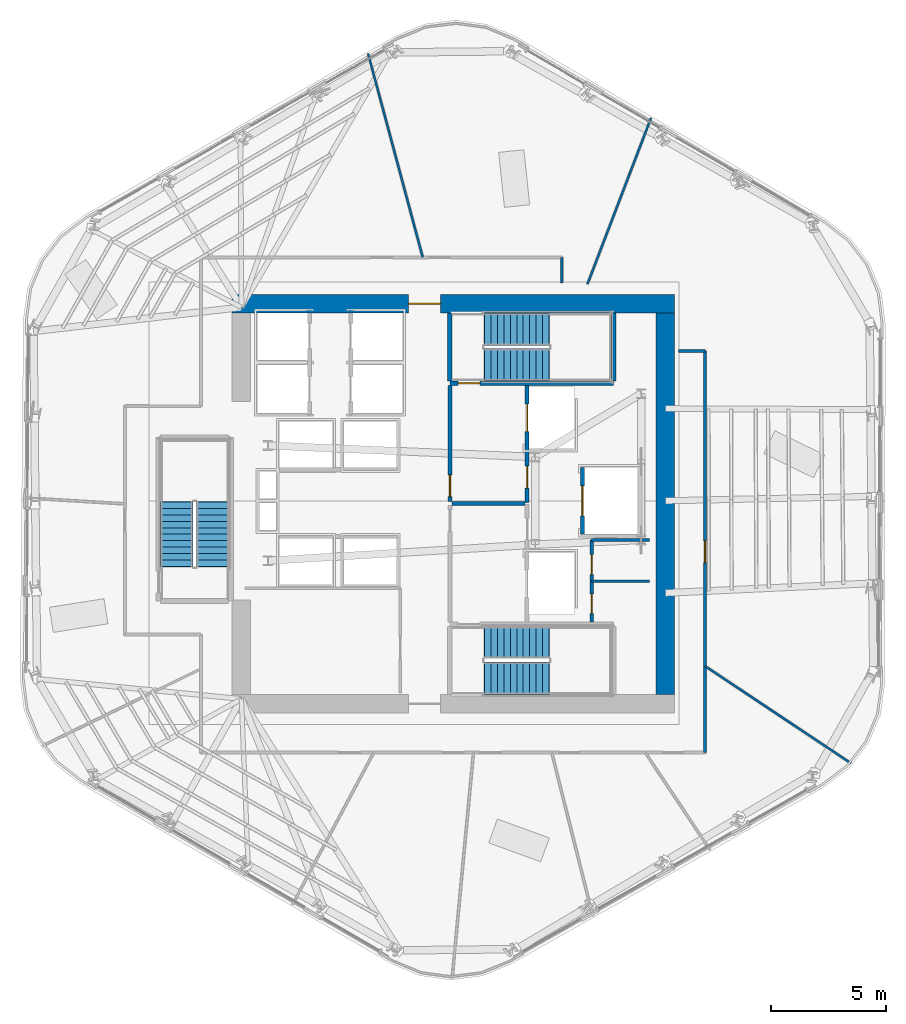
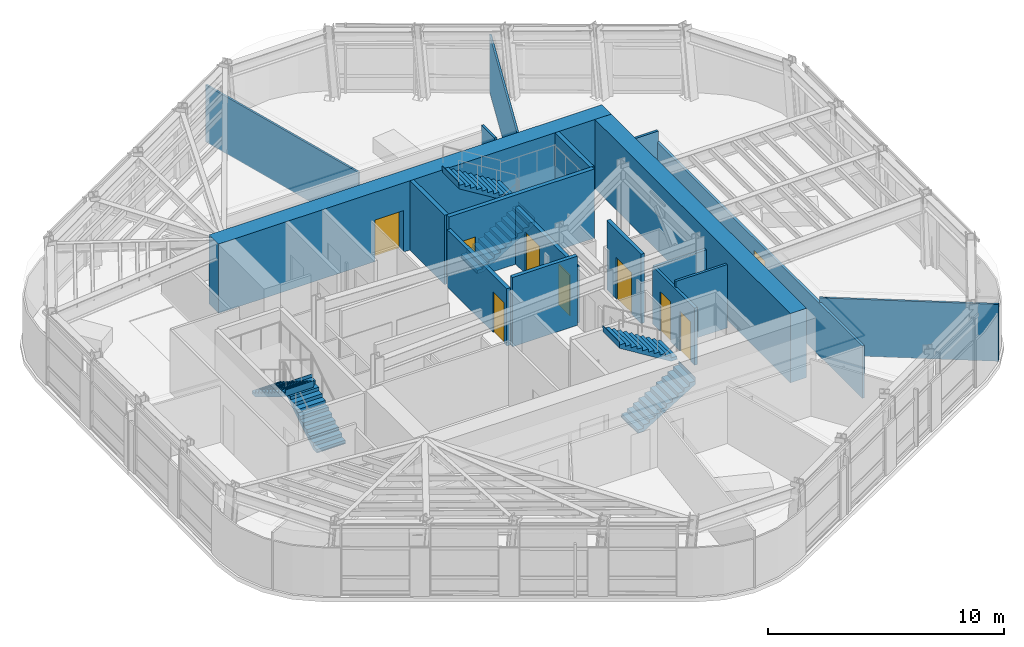
# One storey, part 9 of 16: 18 walls, 9 doors, 6 stair flights, 9 openings, 3 elements without a shape of their own.
"""IFC4 building model written with IfcOpenShell, lengths in metres."""

from ifc_helpers import new_model, si_unit, direction, frame, frame_2d, origin, place, context, subcontext, project, spatial, polyline, rectangle, outline, extrude, material, layer, layer_set, type_object, element, fill, aggregate, save


model = new_model("IFC4")

# Units and contexts
model_context = context("Model", 3, precision=1e-05, world=origin(), true_north=direction((0.0, 1.0)))
body_context = subcontext(model_context, "Body", "Model", "MODEL_VIEW")
ifc_project = project(units=[si_unit("LENGTHUNIT", "METRE"), si_unit("AREAUNIT", "SQUARE_METRE"), si_unit("VOLUMEUNIT", "CUBIC_METRE"), si_unit("PLANEANGLEUNIT", "RADIAN"), si_unit("MASSUNIT", "GRAM", prefix="KILO")], contexts=[model_context])

# Site, building, storey
site_placement = place(None, origin())
site = spatial("IfcSite", under=ifc_project, at=site_placement, CompositionType="ELEMENT")
building_placement = place(site_placement, origin())
building = spatial("IfcBuilding", under=site, at=building_placement, Name="Valkerne Bourse Tower", CompositionType="ELEMENT")
storey_placement = place(building_placement, frame((0.0, 0.0, 151.39990234375)))
storey = spatial("IfcBuildingStorey", under=building, at=storey_placement, Name="L38", CompositionType="ELEMENT", Elevation=151.39990234375)

# Wall, opening, door
ifc_material_1 = material(Name="Concrete C55/67", Category="concrete")
ifc_layer_1 = layer(ifc_material_1, 0.800048828125)
ifc_layer_set_1 = layer_set([ifc_layer_1], Name="Concrete C55/67")
wall_type_1 = type_object("IfcWallType", Name="W-CORE-800", PredefinedType="SHEAR", material=ifc_layer_set_1)
wall_1_placement = place(storey_placement, frame((37.199951171875, 35.550048828125, 0.0), z_axis=(0.0, 0.0, 1.0), x_axis=(1.0, 0.0, 0.0)))
wall_1 = element("IfcWall", 1, at=wall_1_placement, inside=storey, type_object=wall_type_1, Name="L38 Core Shear Wall NORTH", PredefinedType="SHEAR", context=body_context, shape_type="SweptSolid", body=[
    extrude(rectangle(XDim=19.199951171875, YDim=0.800048828125, at=frame_2d((9.60009765625, 0.0))), origin(), (0.0, 0.0, 1.0), 3.580078125),
])
opening_1_placement = place(wall_1_placement, frame((7.64990234375, 0.0, 0.0)))
opening_1 = element("IfcOpeningElement", 2, at=opening_1_placement, cuts=wall_1, Name="Opening D-PL-1400", PredefinedType="OPENING", context=body_context, shape_type="SweptSolid", body=[
    extrude(rectangle(XDim=1.39990234375, YDim=2.14990234375, at=frame_2d((0.699951171875, 1.074951171875))), frame((0.0, 0.409912109375, 0.0), z_axis=(0.0, -1.0, 0.0), x_axis=(1.0, 0.0, 0.0)), (0.0, 0.0, 1.0), 0.820068359375),
])
ifc_material_2 = material(Name="Galvanised Painted Steel", Category="steel")
door_type_1 = type_object("IfcDoorType", Name="DR-PLT-1400", OperationType="DOUBLE_DOOR_SINGLE_SWING", PredefinedType="DOOR", material=ifc_material_2)
door_1_placement = place(opening_1_placement, origin())
door_1 = element("IfcDoor", 3, at=door_1_placement, inside=storey, type_object=door_type_1, Name="L38 North Passenger Lift Hall Fire Door", OperationType="DOUBLE_DOOR_SINGLE_SWING", OverallHeight=2.14990234375, OverallWidth=1.39990234375, PredefinedType="DOOR", context=body_context, shape_type="SweptSolid", body=[
    extrude(rectangle(XDim=1.39990234375, YDim=2.14990234375, at=frame_2d((0.699951171875, 1.074951171875))), frame((0.0, 0.02490234375, 0.0), z_axis=(0.0, -1.0, 0.0), x_axis=(1.0, 0.0, 0.0)), (0.0, 0.0, 1.0), 0.050048828125),
])
fill(opening_1, door_1)

# Walls
wall_2_placement = place(storey_placement, frame((56.0, 18.60009765625, 0.0), z_axis=(0.0, 0.0, 1.0), x_axis=(0.0, 1.0, 0.0)))
element("IfcWall", 4, at=wall_2_placement, inside=storey, type_object=wall_type_1, Name="L38 Core Shear Wall EAST", PredefinedType="SHEAR", context=body_context, shape_type="SweptSolid", body=[
    extrude(rectangle(XDim=16.5498046875, YDim=0.800048828125, at=frame_2d((8.27490234375, 0.0))), origin(), (0.0, 0.0, 1.0), 3.580078125),
])
ifc_material_3 = material(Name="Gypsum Board Steel-Stud Partition", Category="steel")
ifc_layer_2 = layer(ifc_material_3, 0.117919921875)
ifc_layer_set_2 = layer_set([ifc_layer_2], Name="Gypsum Board Steel-Stud Partition")
wall_type_2 = type_object("IfcWallType", Name="W-CORR-140", PredefinedType="PARTITIONING", material=ifc_layer_set_2)
wall_3_placement = place(storey_placement, frame((52.800048828125, 23.510009765625, 0.0), z_axis=(0.0, 0.0, 1.0), x_axis=(1.0, 0.0, 0.0)))
element("IfcWall", 5, at=wall_3_placement, inside=storey, type_object=wall_type_2, Name="L38 Core SE Dual Divider", PredefinedType="PARTITIONING", context=body_context, shape_type="SweptSolid", body=[
    extrude(rectangle(XDim=2.52001953125, YDim=0.117919921875, at=frame_2d((1.260009765625, 0.0))), origin(), (0.0, 0.0, 1.0), 3.280029296875),
])
wall_4_placement = place(storey_placement, frame((51.5, 37.56005859375, 0.0), z_axis=(0.0, 0.0, 1.0), x_axis=(0.0, -1.0, 0.0)))
element("IfcWall", 6, at=wall_4_placement, inside=storey, type_object=wall_type_2, Name="L38 Corridor Enclosure Wall", PredefinedType="PARTITIONING", context=body_context, shape_type="SweptSolid", body=[
    extrude(rectangle(XDim=1.10009765625, YDim=0.117919921875, at=frame_2d((0.550048828125, 0.0))), origin(), (0.0, 0.0, 1.0), 3.280029296875),
])
wall_5_placement = place(storey_placement, frame((56.56005859375, 33.5, 0.0), z_axis=(0.0, 0.0, 1.0), x_axis=(1.0, 0.0, 0.0)))
element("IfcWall", 7, at=wall_5_placement, inside=storey, type_object=wall_type_2, Name="L38 Corridor Enclosure Wall", PredefinedType="PARTITIONING", context=body_context, shape_type="SweptSolid", body=[
    extrude(rectangle(XDim=1.159912109375, YDim=0.117919921875, at=frame_2d((0.580078125, 0.0))), origin(), (0.0, 0.0, 1.0), 3.280029296875),
])

# Wall, opening, door
wall_6_placement = place(storey_placement, frame((57.719970703125, 33.5, 0.0), z_axis=(0.0, 0.0, 1.0), x_axis=(0.0, -1.0, 0.0)))
wall_6 = element("IfcWall", 8, at=wall_6_placement, inside=storey, type_object=wall_type_2, Name="L38 Corridor Enclosure Wall", PredefinedType="PARTITIONING", context=body_context, shape_type="SweptSolid", body=[
    extrude(rectangle(XDim=17.419921875, YDim=0.117919921875, at=frame_2d((8.7099609375, 0.0))), origin(), (0.0, 0.0, 1.0), 2.711669921875),
])
opening_2_placement = place(wall_6_placement, frame((8.235107421875, 0.0, 0.0)))
opening_2 = element("IfcOpeningElement", 9, at=opening_2_placement, cuts=wall_6, Name="Opening D-OF-950", PredefinedType="OPENING", context=body_context, shape_type="SweptSolid", body=[
    extrude(rectangle(XDim=0.949951171875, YDim=2.10009765625, at=frame_2d((0.47509765625, 1.050048828125))), frame((0.0, 0.06884765625, 0.0), z_axis=(0.0, -1.0, 0.0), x_axis=(1.0, 0.0, 0.0)), (0.0, 0.0, 1.0), 0.137939453125),
])
ifc_material_4 = material(Name="Architectural White Oak Timber", Category="wood")
door_type_2 = type_object("IfcDoorType", Name="DR-OFF-950", OperationType="NOTDEFINED", PredefinedType="DOOR", material=ifc_material_4)
door_2_placement = place(opening_2_placement, origin())
door_2 = element("IfcDoor", 10, at=door_2_placement, inside=storey, type_object=door_type_2, Name="L38 L38 Trading Desk Office 9 Door", OperationType="SINGLE_SWING_RIGHT", OverallHeight=2.10009765625, OverallWidth=0.949951171875, PredefinedType="DOOR", context=body_context, shape_type="SweptSolid", body=[
    extrude(rectangle(XDim=0.949951171875, YDim=2.10009765625, at=frame_2d((0.47509765625, 1.050048828125))), frame((0.0, 0.02490234375, 0.0), z_axis=(0.0, -1.0, 0.0), x_axis=(1.0, 0.0, 0.0)), (0.0, 0.0, 1.0), 0.050048828125),
])
fill(opening_2, door_2)

# Wall
ifc_material_5 = material(Name="Gypsum Fire-Rated Shaftwall", Category="gypsum")
ifc_layer_3 = layer(ifc_material_5, 0.179931640625)
ifc_layer_set_3 = layer_set([ifc_layer_3], Name="Gypsum Fire-Rated Shaftwall")
wall_type_3 = type_object("IfcWallType", Name="W-FSAE-180", PredefinedType="PARTITIONING", material=ifc_layer_set_3)
wall_7_placement = place(storey_placement, frame((46.739990234375, 26.8798828125, 0.0), z_axis=(0.0, 0.0, 1.0), x_axis=(1.0, 0.0, 0.0)))
element("IfcWall", 11, at=wall_7_placement, inside=storey, type_object=wall_type_3, Name="L38 FSAE-1/2 Lobby Dividing Fire Wall", PredefinedType="PARTITIONING", context=body_context, shape_type="SweptSolid", body=[
    extrude(rectangle(XDim=3.169921875, YDim=0.179931640625, at=frame_2d((1.5849609375, 0.0))), origin(), (0.0, 0.0, 1.0), 3.580078125),
])

# Wall, opening, door
wall_8_placement = place(storey_placement, frame((46.64990234375, 26.9599609375, 0.0), z_axis=(0.0, 0.0, 1.0), x_axis=(0.0, 1.0, 0.0)))
wall_8 = element("IfcWall", 12, at=wall_8_placement, inside=storey, type_object=wall_type_3, Name="L38 FSAE-2 Lobby West Fire Wall", PredefinedType="PARTITIONING", context=body_context, shape_type="SweptSolid", body=[
    extrude(rectangle(XDim=5.0400390625, YDim=0.179931640625, at=frame_2d((2.52001953125, 0.0))), origin(), (0.0, 0.0, 1.0), 2.9580078125),
])
opening_3_placement = place(wall_8_placement, frame((0.219970703125, 0.0, 0.0)))
opening_3 = element("IfcOpeningElement", 13, at=opening_3_placement, cuts=wall_8, Name="Opening D-FS-950", PredefinedType="OPENING", context=body_context, shape_type="SweptSolid", body=[
    extrude(rectangle(XDim=0.949951171875, YDim=2.10009765625, at=frame_2d((0.47509765625, 1.050048828125))), frame((0.0, 0.099853515625, 0.0), z_axis=(0.0, -1.0, 0.0), x_axis=(1.0, 0.0, 0.0)), (0.0, 0.0, 1.0), 0.199951171875),
])
door_type_3 = type_object("IfcDoorType", Name="DR-FSAE-950", OperationType="NOTDEFINED", PredefinedType="DOOR", material=ifc_material_2)
door_3_placement = place(opening_3_placement, origin())
door_3 = element("IfcDoor", 14, at=door_3_placement, inside=storey, type_object=door_type_3, Name="L38 FSAE-2 Hall Link Fire Door", OperationType="SINGLE_SWING_RIGHT", OverallHeight=2.10009765625, OverallWidth=0.949951171875, PredefinedType="DOOR", context=body_context, shape_type="SweptSolid", body=[
    extrude(rectangle(XDim=0.949951171875, YDim=2.10009765625, at=frame_2d((0.47509765625, 1.050048828125))), frame((0.0, 0.02490234375, 0.0), z_axis=(0.0, -1.0, 0.0), x_axis=(1.0, 0.0, 0.0)), (0.0, 0.0, 1.0), 0.050048828125),
])
fill(opening_3, door_3)

# Wall, openings, doors
wall_9_placement = place(storey_placement, frame((50.0, 26.919921875, 0.0), z_axis=(0.0, 0.0, 1.0), x_axis=(0.0, 1.0, 0.0)))
wall_9 = element("IfcWall", 15, at=wall_9_placement, inside=storey, type_object=wall_type_3, Name="L38 FSAE-2 Lobby & Shaft Front Wall", PredefinedType="PARTITIONING", context=body_context, shape_type="SweptSolid", body=[
    extrude(rectangle(XDim=5.080078125, YDim=0.179931640625, at=frame_2d((2.5400390625, 0.0))), origin(), (0.0, 0.0, 1.0), 2.9580078125),
])
opening_4_placement = place(wall_9_placement, frame((3.080078125, 0.0, 0.0)))
opening_4 = element("IfcOpeningElement", 16, at=opening_4_placement, cuts=wall_9, Name="Opening LD-1200", PredefinedType="OPENING", context=body_context, shape_type="SweptSolid", body=[
    extrude(rectangle(XDim=1.199951171875, YDim=2.14990234375, at=frame_2d((0.60009765625, 1.074951171875))), frame((0.0, 0.099853515625, 0.0), z_axis=(0.0, -1.0, 0.0), x_axis=(1.0, 0.0, 0.0)), (0.0, 0.0, 1.0), 0.199951171875),
])
opening_5_placement = place(wall_9_placement, frame((0.6298828125, 0.0, 0.0)))
opening_5 = element("IfcOpeningElement", 17, at=opening_5_placement, cuts=wall_9, Name="Opening D-FS-950", PredefinedType="OPENING", context=body_context, shape_type="SweptSolid", body=[
    extrude(rectangle(XDim=0.949951171875, YDim=2.10009765625, at=frame_2d((0.47509765625, 1.050048828125))), frame((0.0, 0.099853515625, 0.0), z_axis=(0.0, -1.0, 0.0), x_axis=(1.0, 0.0, 0.0)), (0.0, 0.0, 1.0), 0.199951171875),
])
door_4_placement = place(opening_5_placement, origin())
door_4 = element("IfcDoor", 18, at=door_4_placement, inside=storey, type_object=door_type_3, Name="L38 FSAE-2 Lobby Corridor Fire Door", OperationType="SINGLE_SWING_LEFT", OverallHeight=2.10009765625, OverallWidth=0.949951171875, PredefinedType="DOOR", context=body_context, shape_type="SweptSolid", body=[
    extrude(rectangle(XDim=0.949951171875, YDim=2.10009765625, at=frame_2d((0.47509765625, 1.050048828125))), frame((0.0, 0.02490234375, 0.0), z_axis=(0.0, -1.0, 0.0), x_axis=(1.0, 0.0, 0.0)), (0.0, 0.0, 1.0), 0.050048828125),
])
fill(opening_5, door_4)
ifc_material_6 = material(Name="Stainless Steel AISI 316", Category="steel")
door_type_4 = type_object("IfcDoorType", Name="DR-LIFT-1200", OperationType="DOUBLE_DOOR_SLIDING", PredefinedType="DOOR", material=ifc_material_6)
door_5_placement = place(opening_4_placement, origin())
door_5 = element("IfcDoor", 19, at=door_5_placement, inside=storey, type_object=door_type_4, Name="L38 FSAE-2 Firefighting Lift Landing Door", OperationType="DOUBLE_DOOR_SLIDING", OverallHeight=2.14990234375, OverallWidth=1.199951171875, PredefinedType="DOOR", context=body_context, shape_type="SweptSolid", body=[
    extrude(rectangle(XDim=1.199951171875, YDim=2.14990234375, at=frame_2d((0.60009765625, 1.074951171875))), frame((0.0, 0.02490234375, 0.0), z_axis=(0.0, -1.0, 0.0), x_axis=(1.0, 0.0, 0.0)), (0.0, 0.0, 1.0), 0.050048828125),
])
fill(opening_4, door_5)

# Wall, opening, door
ifc_material_7 = material(Name="CMU Blockwork Masonry 200mm", Category="masonry")
ifc_layer_4 = layer(ifc_material_7, 0.179931640625)
ifc_layer_set_4 = layer_set([ifc_layer_4], Name="CMU Blockwork Masonry 200mm")
wall_type_4 = type_object("IfcWallType", Name="W-LFT-180", PredefinedType="SOLIDWALL", material=ifc_layer_set_4)
wall_10_placement = place(storey_placement, frame((52.39990234375, 25.550048828125, 0.0), z_axis=(0.0, 0.0, 1.0), x_axis=(0.0, 1.0, 0.0)))
wall_10 = element("IfcWall", 20, at=wall_10_placement, inside=storey, type_object=wall_type_4, Name="L38 Service Lift SV-1 Front Wall", PredefinedType="SOLIDWALL", context=body_context, shape_type="SweptSolid", body=[
    extrude(rectangle(XDim=2.89990234375, YDim=0.179931640625, at=frame_2d((1.449951171875, 0.0))), origin(), (0.0, 0.0, 1.0), 3.580078125),
])
opening_6_placement = place(wall_10_placement, frame((0.800048828125, 0.0, 0.0)))
opening_6 = element("IfcOpeningElement", 21, at=opening_6_placement, cuts=wall_10, Name="Opening LD-1300", PredefinedType="OPENING", context=body_context, shape_type="SweptSolid", body=[
    extrude(rectangle(XDim=1.300048828125, YDim=2.14990234375, at=frame_2d((0.64990234375, 1.074951171875))), frame((0.0, 0.099853515625, 0.0), z_axis=(0.0, -1.0, 0.0), x_axis=(1.0, 0.0, 0.0)), (0.0, 0.0, 1.0), 0.199951171875),
])
door_type_5 = type_object("IfcDoorType", Name="DR-LIFT-1300", OperationType="DOUBLE_DOOR_SLIDING", PredefinedType="DOOR", material=ifc_material_6)
door_6_placement = place(opening_6_placement, origin())
door_6 = element("IfcDoor", 22, at=door_6_placement, inside=storey, type_object=door_type_5, Name="L38 Service Lift SV-1 Landing Door", OperationType="DOUBLE_DOOR_SLIDING", OverallHeight=2.14990234375, OverallWidth=1.300048828125, PredefinedType="DOOR", context=body_context, shape_type="SweptSolid", body=[
    extrude(rectangle(XDim=1.300048828125, YDim=2.14990234375, at=frame_2d((0.64990234375, 1.074951171875))), frame((0.0, 0.02490234375, 0.0), z_axis=(0.0, -1.0, 0.0), x_axis=(1.0, 0.0, 0.0)), (0.0, 0.0, 1.0), 0.050048828125),
])
fill(opening_6, door_6)

# Walls
ifc_layer_5 = layer(ifc_material_3, 0.092041015625)
ifc_layer_set_5 = layer_set([ifc_layer_5], Name="Gypsum Board Steel-Stud Partition")
wall_type_5 = type_object("IfcWallType", Name="W-PART-115", PredefinedType="PARTITIONING", material=ifc_layer_set_5)
wall_11_placement = place(storey_placement, frame((57.72509765625, 19.82470703125, 0.0), z_axis=(0.0, 0.0, 1.0), x_axis=(0.832390841031, -0.554189036132, 0.0)))
element("IfcWall", 23, at=wall_11_placement, inside=storey, type_object=wall_type_5, Name="L38 Suite Partition P04", PredefinedType="PARTITIONING", context=body_context, shape_type="SweptSolid", body=[
    extrude(rectangle(XDim=7.606689453125, YDim=0.092041015625, at=frame_2d((3.80322265625, 0.0))), origin(), (0.0, 0.0, 1.0), 2.942626953125),
])
wall_12_placement = place(storey_placement, frame((52.616943359375, 36.39990234375, 0.0), z_axis=(0.0, 0.0, 1.0), x_axis=(0.35730700951, 0.933986991855, 0.0)))
element("IfcWall", 24, at=wall_12_placement, inside=storey, type_object=wall_type_5, Name="L38 Suite Partition P05", PredefinedType="PARTITIONING", context=body_context, shape_type="SweptSolid", body=[
    extrude(rectangle(XDim=7.722412109375, YDim=0.092041015625, at=frame_2d((3.861328125, 0.0))), origin(), (0.0, 0.0, 1.0), 2.942626953125),
])
wall_13_placement = place(storey_placement, frame((45.470703125, 37.56494140625, 0.0), z_axis=(0.0, 0.0, 1.0), x_axis=(-0.25911643032, 0.965846093091, 0.0)))
element("IfcWall", 25, at=wall_13_placement, inside=storey, type_object=wall_type_5, Name="L38 Suite Partition P06", PredefinedType="PARTITIONING", context=body_context, shape_type="SweptSolid", body=[
    extrude(rectangle(XDim=9.154541015625, YDim=0.092041015625, at=frame_2d((4.5771484375, 0.0))), origin(), (0.0, 0.0, 1.0), 2.942626953125),
])

# Wall, opening, door
ifc_material_8 = material(Name="Concrete C40/50", Category="concrete")
ifc_layer_6 = layer(ifc_material_8, 0.199951171875)
ifc_layer_set_6 = layer_set([ifc_layer_6], Name="Concrete C40/50")
wall_type_6 = type_object("IfcWallType", Name="W-SHF-200", PredefinedType="SHEAR", material=ifc_layer_set_6)
wall_14_placement = place(storey_placement, frame((46.64990234375, 32.10009765625, 0.0), z_axis=(0.0, 0.0, 1.0), x_axis=(1.0, 0.0, 0.0)))
wall_14 = element("IfcWall", 26, at=wall_14_placement, inside=storey, type_object=wall_type_6, Name="L38 Exit Stair ST-2 Structural Shaft Wall South", PredefinedType="SHEAR", context=body_context, shape_type="SweptSolid", body=[
    extrude(rectangle(XDim=7.10009765625, YDim=0.199951171875, at=frame_2d((3.550048828125, 0.0))), origin(), (0.0, 0.0, 1.0), 3.580078125),
])
opening_7_placement = place(wall_14_placement, frame((0.35009765625, 0.0, 0.0)))
opening_7 = element("IfcOpeningElement", 27, at=opening_7_placement, cuts=wall_14, Name="Opening D-ST-950", PredefinedType="OPENING", context=body_context, shape_type="SweptSolid", body=[
    extrude(rectangle(XDim=0.949951171875, YDim=2.10009765625, at=frame_2d((0.47509765625, 1.050048828125))), frame((0.0, 0.10986328125, 0.0), z_axis=(0.0, -1.0, 0.0), x_axis=(1.0, 0.0, 0.0)), (0.0, 0.0, 1.0), 0.219970703125),
])
door_type_6 = type_object("IfcDoorType", Name="DR-STAIR-950", OperationType="NOTDEFINED", PredefinedType="DOOR", material=ifc_material_2)
door_7_placement = place(opening_7_placement, origin())
door_7 = element("IfcDoor", 28, at=door_7_placement, inside=storey, type_object=door_type_6, Name="L38 Exit Stair ST-2 Door", OperationType="SINGLE_SWING_RIGHT", OverallHeight=2.10009765625, OverallWidth=0.949951171875, PredefinedType="DOOR", context=body_context, shape_type="SweptSolid", body=[
    extrude(rectangle(XDim=0.949951171875, YDim=2.10009765625, at=frame_2d((0.47509765625, 1.050048828125))), frame((0.0, 0.02490234375, 0.0), z_axis=(0.0, -1.0, 0.0), x_axis=(1.0, 0.0, 0.0)), (0.0, 0.0, 1.0), 0.050048828125),
])
fill(opening_7, door_7)

# Walls
for number, where, z_axis, x_axis, name in (
    (29, (46.64990234375, 32.199951171875, 0.0), (0.0, 0.0, 1.0), (0.0, 1.0, 0.0), "L38 Exit Stair ST-2 Structural Shaft Wall West"),
    (30, (53.75, 32.199951171875, 0.0), (0.0, 0.0, 1.0), (0.0, 1.0, 0.0), "L38 Exit Stair ST-2 Structural Shaft Wall East"),
):
    element("IfcWall", number, at=place(storey_placement, frame(where, z_axis=z_axis, x_axis=x_axis)), inside=storey, type_object=wall_type_6, Name=name, PredefinedType="SHEAR", context=body_context, shape_type="SweptSolid", body=[
        extrude(rectangle(XDim=2.949951171875, YDim=0.199951171875, at=frame_2d((1.47509765625, 0.0))), origin(), (0.0, 0.0, 1.0), 3.580078125),
    ])

# Wall, openings, doors
ifc_material_9 = material(Name="Moisture-Resistant Gypsum Partition", Category="gypsum")
ifc_layer_7 = layer(ifc_material_9, 0.139892578125)
ifc_layer_set_7 = layer_set([ifc_layer_7], Name="Moisture-Resistant Gypsum Partition")
wall_type_7 = type_object("IfcWallType", Name="W-WET-140", PredefinedType="PARTITIONING", material=ifc_layer_set_7)
wall_15_placement = place(storey_placement, frame((52.800048828125, 21.75, 0.0), z_axis=(0.0, 0.0, 1.0), x_axis=(0.0, 1.0, 0.0)))
wall_15 = element("IfcWall", 31, at=wall_15_placement, inside=storey, type_object=wall_type_7, Name="L38 Core SE Dual West Wall", PredefinedType="PARTITIONING", context=body_context, shape_type="SweptSolid", body=[
    extrude(rectangle(XDim=3.550048828125, YDim=0.139892578125, at=frame_2d((1.77490234375, 0.0))), origin(), (0.0, 0.0, 1.0), 2.9580078125),
])
opening_8_placement = place(wall_15_placement, frame((0.35009765625, 0.0, 0.0)))
opening_8 = element("IfcOpeningElement", 32, at=opening_8_placement, cuts=wall_15, Name="Opening D-WC-900", PredefinedType="OPENING", context=body_context, shape_type="SweptSolid", body=[
    extrude(rectangle(XDim=0.860107421875, YDim=2.050048828125, at=frame_2d((0.43017578125, 1.02490234375))), frame((0.0, 0.079833984375, 0.0), z_axis=(0.0, -1.0, 0.0), x_axis=(1.0, 0.0, 0.0)), (0.0, 0.0, 1.0), 0.159912109375),
])
opening_9_placement = place(wall_15_placement, frame((2.050048828125, 0.0, 0.0)))
opening_9 = element("IfcOpeningElement", 33, at=opening_9_placement, cuts=wall_15, Name="Opening D-WC-900", PredefinedType="OPENING", context=body_context, shape_type="SweptSolid", body=[
    extrude(rectangle(XDim=0.860107421875, YDim=2.050048828125, at=frame_2d((0.43017578125, 1.02490234375))), frame((0.0, 0.079833984375, 0.0), z_axis=(0.0, -1.0, 0.0), x_axis=(1.0, 0.0, 0.0)), (0.0, 0.0, 1.0), 0.159912109375),
])
door_type_7 = type_object("IfcDoorType", Name="DR-WC-900", OperationType="NOTDEFINED", PredefinedType="DOOR", material=ifc_material_4)
door_8_placement = place(opening_8_placement, origin())
door_8 = element("IfcDoor", 34, at=door_8_placement, inside=storey, type_object=door_type_7, Name="L38 Linen Store Door", OperationType="SINGLE_SWING_LEFT", OverallHeight=2.050048828125, OverallWidth=0.860107421875, PredefinedType="DOOR", context=body_context, shape_type="SweptSolid", body=[
    extrude(rectangle(XDim=0.860107421875, YDim=2.050048828125, at=frame_2d((0.43017578125, 1.02490234375))), frame((0.0, 0.02490234375, 0.0), z_axis=(0.0, -1.0, 0.0), x_axis=(1.0, 0.0, 0.0)), (0.0, 0.0, 1.0), 0.050048828125),
])
fill(opening_8, door_8)
door_9_placement = place(opening_9_placement, origin())
door_9 = element("IfcDoor", 35, at=door_9_placement, inside=storey, type_object=door_type_7, Name="L38 Espresso Kitchen Door", OperationType="SINGLE_SWING_LEFT", OverallHeight=2.050048828125, OverallWidth=0.860107421875, PredefinedType="DOOR", context=body_context, shape_type="SweptSolid", body=[
    extrude(rectangle(XDim=0.860107421875, YDim=2.050048828125, at=frame_2d((0.43017578125, 1.02490234375))), frame((0.0, 0.02490234375, 0.0), z_axis=(0.0, -1.0, 0.0), x_axis=(1.0, 0.0, 0.0)), (0.0, 0.0, 1.0), 0.050048828125),
])
fill(opening_9, door_9)

# Wall
wall_16_placement = place(storey_placement, frame((52.800048828125, 25.300048828125, 0.0), z_axis=(0.0, 0.0, 1.0), x_axis=(1.0, 0.0, 0.0)))
element("IfcWall", 36, at=wall_16_placement, inside=storey, type_object=wall_type_7, Name="L38 Core SE Dual North Wall", PredefinedType="PARTITIONING", context=body_context, shape_type="SweptSolid", body=[
    extrude(rectangle(XDim=2.52001953125, YDim=0.139892578125, at=frame_2d((1.260009765625, 0.0))), origin(), (0.0, 0.0, 1.0), 2.9580078125),
])

# Stair, stair flights
stair_type = type_object("IfcStairType", Name="ST-CORE-1400", PredefinedType="HALF_TURN_STAIR", material=ifc_material_8)
stair_1_placement = place(storey_placement, origin())
stair_1 = element("IfcStair", 37, at=stair_1_placement, inside=storey, type_object=stair_type, Name="L38 ST-1", PredefinedType="HALF_TURN_STAIR")
stair_flight_type = type_object("IfcStairFlightType", Name="STF-CORE-1400", PredefinedType="STRAIGHT", material=ifc_material_8)
stair_flight_1_placement = place(storey_placement, frame((48.14990234375, 19.300048828125, 0.0), z_axis=(0.0, 0.0, 1.0), x_axis=(1.0, 0.0, 0.0)))
stair_flight_1 = element("IfcStairFlight", 38, at=stair_flight_1_placement, type_object=stair_flight_type, Name="ST-1 flight 1", NumberOfRisers=11, NumberOfTreads=10, PredefinedType="STRAIGHT", RiserHeight=0.172727273, TreadLength=0.28, context=body_context, shape_type="SweptSolid", body=[
    extrude(outline(polyline([(-0.02001953125, 0.0), (-0.02001953125, 0.044921875), (0.0, 0.044921875), (0.0, 0.172607421875), (0.280029296875, 0.172607421875), (0.280029296875, 0.345458984375), (0.56005859375, 0.345458984375), (0.56005859375, 0.51806640625), (0.840087890625, 0.51806640625), (0.840087890625, 0.69091796875), (1.1201171875, 0.69091796875), (1.1201171875, 0.863525390625), (1.39990234375, 0.863525390625), (1.39990234375, 1.036376953125), (1.679931640625, 1.036376953125), (1.679931640625, 1.208984375), (1.9599609375, 1.208984375), (1.9599609375, 1.3818359375), (2.239990234375, 1.3818359375), (2.239990234375, 1.554443359375), (2.52001953125, 1.554443359375), (2.52001953125, 1.727294921875), (2.800048828125, 1.727294921875), (2.800048828125, 1.89990234375), (2.820068359375, 1.89990234375), (2.820068359375, 1.780029296875), (2.800048828125, 1.551025390625), (0.285400390625, 0.0), (-0.02001953125, 0.0)])), frame((0.0, 0.699951171875, 0.0), z_axis=(0.0, -1.0, 0.0), x_axis=(1.0, 0.0, 0.0)), (0.0, 0.0, 1.0), 1.39990234375),
])
stair_flight_2_placement = place(storey_placement, frame((50.949951171875, 20.85009765625, 1.900146484375), z_axis=(0.0, 0.0, 1.0), x_axis=(-1.0, 0.0, 0.0)))
stair_flight_2 = element("IfcStairFlight", 39, at=stair_flight_2_placement, type_object=stair_flight_type, Name="ST-1 flight 2", NumberOfRisers=11, NumberOfTreads=10, PredefinedType="STRAIGHT", RiserHeight=0.172727273, TreadLength=0.28, context=body_context, shape_type="SweptSolid", body=[
    extrude(outline(polyline([(-0.02001953125, 0.0), (-0.02001953125, 0.044921875), (0.0, 0.044921875), (0.0, 0.172607421875), (0.280029296875, 0.172607421875), (0.280029296875, 0.345458984375), (0.56005859375, 0.345458984375), (0.56005859375, 0.51806640625), (0.840087890625, 0.51806640625), (0.840087890625, 0.69091796875), (1.1201171875, 0.69091796875), (1.1201171875, 0.863525390625), (1.39990234375, 0.863525390625), (1.39990234375, 1.036376953125), (1.679931640625, 1.036376953125), (1.679931640625, 1.208984375), (1.9599609375, 1.208984375), (1.9599609375, 1.3818359375), (2.239990234375, 1.3818359375), (2.239990234375, 1.554443359375), (2.52001953125, 1.554443359375), (2.52001953125, 1.727294921875), (2.800048828125, 1.727294921875), (2.800048828125, 1.89990234375), (2.820068359375, 1.89990234375), (2.820068359375, 1.780029296875), (2.800048828125, 1.551025390625), (0.285400390625, 0.0), (-0.02001953125, 0.0)])), frame((0.0, 0.699951171875, 0.0), z_axis=(0.0, -1.0, 0.0), x_axis=(1.0, 0.0, 0.0)), (0.0, 0.0, 1.0), 1.39990234375),
])
aggregate(stair_1, [stair_flight_1, stair_flight_2])

stair_2_placement = place(storey_placement, origin())
stair_2 = element("IfcStair", 40, at=stair_2_placement, inside=storey, type_object=stair_type, Name="L38 ST-2", PredefinedType="HALF_TURN_STAIR")
stair_flight_3_placement = place(storey_placement, frame((48.14990234375, 32.89990234375, 0.0), z_axis=(0.0, 0.0, 1.0), x_axis=(1.0, 0.0, 0.0)))
stair_flight_3 = element("IfcStairFlight", 41, at=stair_flight_3_placement, type_object=stair_flight_type, Name="ST-2 flight 1", NumberOfRisers=11, NumberOfTreads=10, PredefinedType="STRAIGHT", RiserHeight=0.172727273, TreadLength=0.28, context=body_context, shape_type="SweptSolid", body=[
    extrude(outline(polyline([(-0.02001953125, 0.0), (-0.02001953125, 0.044921875), (0.0, 0.044921875), (0.0, 0.172607421875), (0.280029296875, 0.172607421875), (0.280029296875, 0.345458984375), (0.56005859375, 0.345458984375), (0.56005859375, 0.51806640625), (0.840087890625, 0.51806640625), (0.840087890625, 0.69091796875), (1.1201171875, 0.69091796875), (1.1201171875, 0.863525390625), (1.39990234375, 0.863525390625), (1.39990234375, 1.036376953125), (1.679931640625, 1.036376953125), (1.679931640625, 1.208984375), (1.9599609375, 1.208984375), (1.9599609375, 1.3818359375), (2.239990234375, 1.3818359375), (2.239990234375, 1.554443359375), (2.52001953125, 1.554443359375), (2.52001953125, 1.727294921875), (2.800048828125, 1.727294921875), (2.800048828125, 1.89990234375), (2.820068359375, 1.89990234375), (2.820068359375, 1.780029296875), (2.800048828125, 1.551025390625), (0.285400390625, 0.0), (-0.02001953125, 0.0)])), frame((0.0, 0.699951171875, 0.0), z_axis=(0.0, -1.0, 0.0), x_axis=(1.0, 0.0, 0.0)), (0.0, 0.0, 1.0), 1.39990234375),
])
stair_flight_4_placement = place(storey_placement, frame((50.949951171875, 34.449951171875, 1.900146484375), z_axis=(0.0, 0.0, 1.0), x_axis=(-1.0, 0.0, 0.0)))
stair_flight_4 = element("IfcStairFlight", 42, at=stair_flight_4_placement, type_object=stair_flight_type, Name="ST-2 flight 2", NumberOfRisers=11, NumberOfTreads=10, PredefinedType="STRAIGHT", RiserHeight=0.172727273, TreadLength=0.28, context=body_context, shape_type="SweptSolid", body=[
    extrude(outline(polyline([(-0.02001953125, 0.0), (-0.02001953125, 0.044921875), (0.0, 0.044921875), (0.0, 0.172607421875), (0.280029296875, 0.172607421875), (0.280029296875, 0.345458984375), (0.56005859375, 0.345458984375), (0.56005859375, 0.51806640625), (0.840087890625, 0.51806640625), (0.840087890625, 0.69091796875), (1.1201171875, 0.69091796875), (1.1201171875, 0.863525390625), (1.39990234375, 0.863525390625), (1.39990234375, 1.036376953125), (1.679931640625, 1.036376953125), (1.679931640625, 1.208984375), (1.9599609375, 1.208984375), (1.9599609375, 1.3818359375), (2.239990234375, 1.3818359375), (2.239990234375, 1.554443359375), (2.52001953125, 1.554443359375), (2.52001953125, 1.727294921875), (2.800048828125, 1.727294921875), (2.800048828125, 1.89990234375), (2.820068359375, 1.89990234375), (2.820068359375, 1.780029296875), (2.800048828125, 1.551025390625), (0.285400390625, 0.0), (-0.02001953125, 0.0)])), frame((0.0, 0.699951171875, 0.0), z_axis=(0.0, -1.0, 0.0), x_axis=(1.0, 0.0, 0.0)), (0.0, 0.0, 1.0), 1.39990234375),
])
aggregate(stair_2, [stair_flight_3, stair_flight_4])

stair_3_placement = place(storey_placement, origin())
stair_3 = element("IfcStair", 43, at=stair_3_placement, inside=storey, type_object=stair_type, Name="L38 ST-3", PredefinedType="HALF_TURN_STAIR")
stair_flight_5_placement = place(storey_placement, frame((36.35009765625, 24.14990234375, 0.0), z_axis=(0.0, 0.0, 1.0), x_axis=(0.0, 1.0, 0.0)))
stair_flight_5 = element("IfcStairFlight", 44, at=stair_flight_5_placement, type_object=stair_flight_type, Name="ST-3 flight 1", NumberOfRisers=11, NumberOfTreads=10, PredefinedType="STRAIGHT", RiserHeight=0.172727273, TreadLength=0.28, context=body_context, shape_type="SweptSolid", body=[
    extrude(outline(polyline([(-0.02001953125, 0.0), (-0.02001953125, 0.044921875), (0.0, 0.044921875), (0.0, 0.172607421875), (0.280029296875, 0.172607421875), (0.280029296875, 0.345458984375), (0.56005859375, 0.345458984375), (0.56005859375, 0.51806640625), (0.840087890625, 0.51806640625), (0.840087890625, 0.69091796875), (1.1201171875, 0.69091796875), (1.1201171875, 0.863525390625), (1.39990234375, 0.863525390625), (1.39990234375, 1.036376953125), (1.679931640625, 1.036376953125), (1.679931640625, 1.208984375), (1.9599609375, 1.208984375), (1.9599609375, 1.3818359375), (2.239990234375, 1.3818359375), (2.239990234375, 1.554443359375), (2.52001953125, 1.554443359375), (2.52001953125, 1.727294921875), (2.800048828125, 1.727294921875), (2.800048828125, 1.89990234375), (2.820068359375, 1.89990234375), (2.820068359375, 1.780029296875), (2.800048828125, 1.551025390625), (0.285400390625, 0.0), (-0.02001953125, 0.0)])), frame((0.0, 0.699951171875, 0.0), z_axis=(0.0, -1.0, 0.0), x_axis=(1.0, 0.0, 0.0)), (0.0, 0.0, 1.0), 1.39990234375),
])
stair_flight_6_placement = place(storey_placement, frame((34.800048828125, 26.949951171875, 1.900146484375), z_axis=(0.0, 0.0, 1.0), x_axis=(0.0, -1.0, 0.0)))
stair_flight_6 = element("IfcStairFlight", 45, at=stair_flight_6_placement, type_object=stair_flight_type, Name="ST-3 flight 2", NumberOfRisers=11, NumberOfTreads=10, PredefinedType="STRAIGHT", RiserHeight=0.172727273, TreadLength=0.28, context=body_context, shape_type="SweptSolid", body=[
    extrude(outline(polyline([(-0.02001953125, 0.0), (-0.02001953125, 0.044921875), (0.0, 0.044921875), (0.0, 0.172607421875), (0.280029296875, 0.172607421875), (0.280029296875, 0.345458984375), (0.56005859375, 0.345458984375), (0.56005859375, 0.51806640625), (0.840087890625, 0.51806640625), (0.840087890625, 0.69091796875), (1.1201171875, 0.69091796875), (1.1201171875, 0.863525390625), (1.39990234375, 0.863525390625), (1.39990234375, 1.036376953125), (1.679931640625, 1.036376953125), (1.679931640625, 1.208984375), (1.9599609375, 1.208984375), (1.9599609375, 1.3818359375), (2.239990234375, 1.3818359375), (2.239990234375, 1.554443359375), (2.52001953125, 1.554443359375), (2.52001953125, 1.727294921875), (2.800048828125, 1.727294921875), (2.800048828125, 1.89990234375), (2.820068359375, 1.89990234375), (2.820068359375, 1.780029296875), (2.800048828125, 1.551025390625), (0.285400390625, 0.0), (-0.02001953125, 0.0)])), frame((0.0, 0.699951171875, 0.0), z_axis=(0.0, -1.0, 0.0), x_axis=(1.0, 0.0, 0.0)), (0.0, 0.0, 1.0), 1.39990234375),
])
aggregate(stair_3, [stair_flight_5, stair_flight_6])

save(model, "model.ifc")
